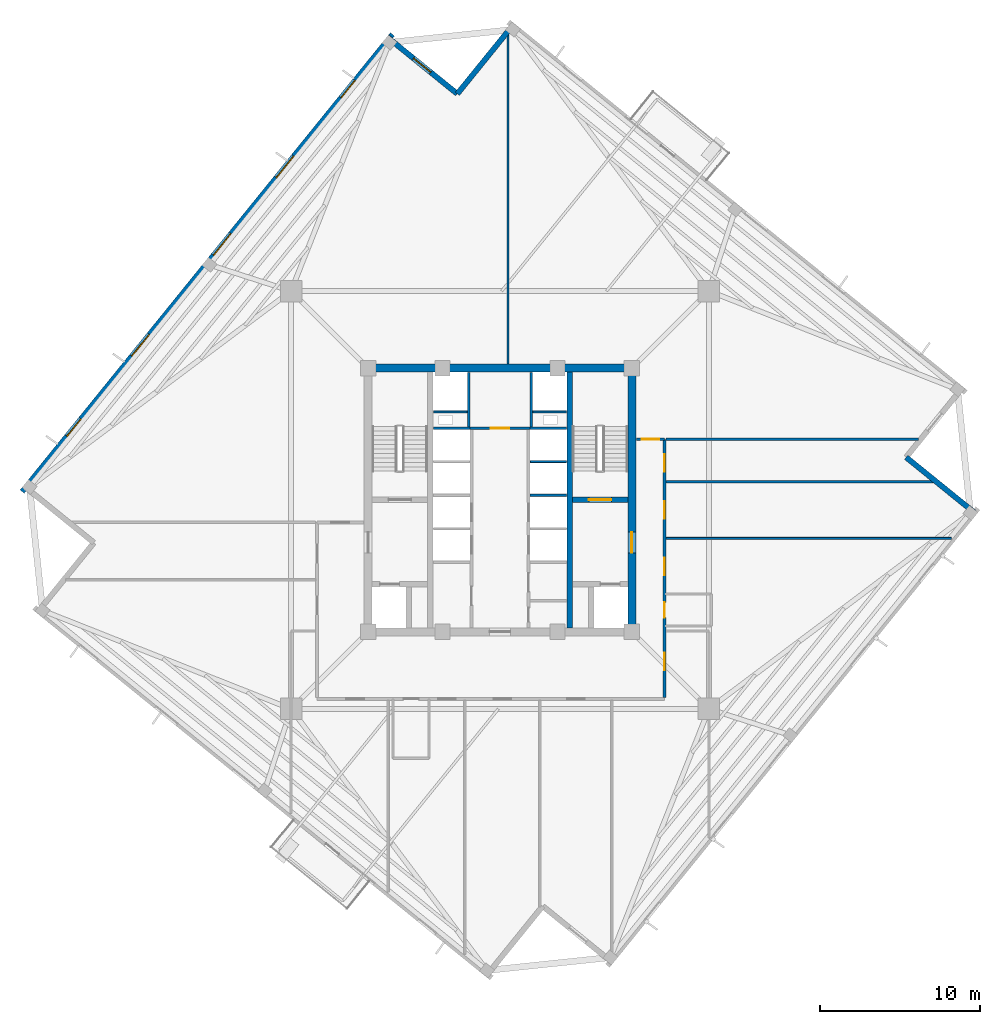
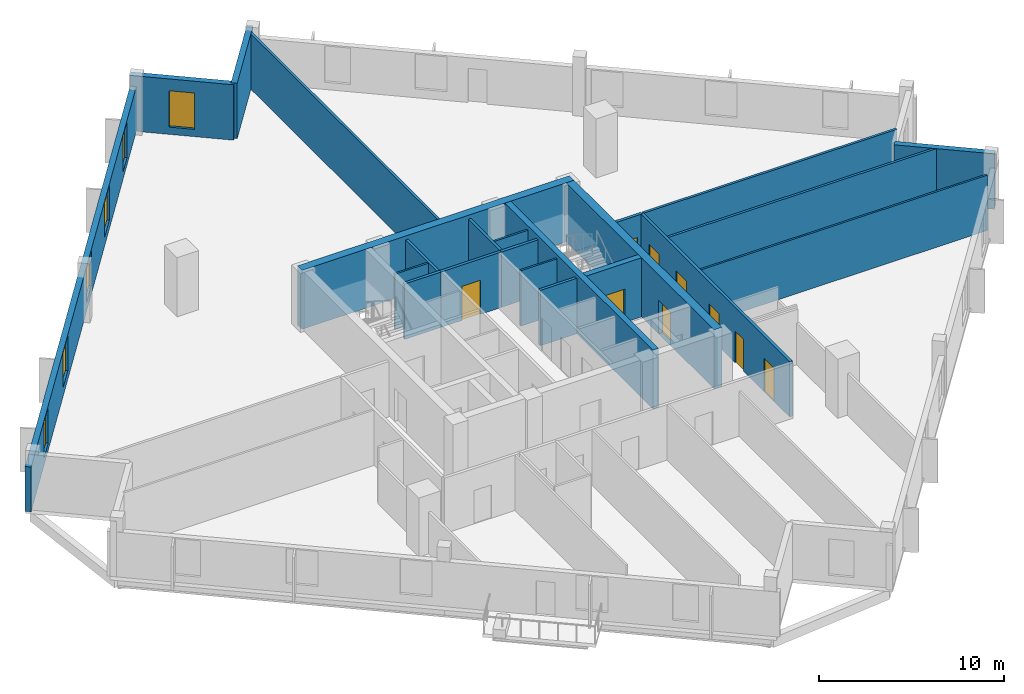
# One storey, part 5 of 10: 23 walls, 9 doors, 6 windows, 15 openings.
"""IFC4 building model written with IfcOpenShell, lengths in metres."""

from ifc_helpers import new_model, si_unit, direction, frame, frame_2d, origin, place, context, subcontext, project, spatial, rectangle, extrude, source, transform, mapped, material, layer, layer_set, type_object, element, fill, save


model = new_model("IFC4")

# Units and contexts
model_context = context("Model", 3, precision=1e-05, world=origin(), true_north=direction((0.0, 1.0)))
body_context = subcontext(model_context, "Body", "Model", "MODEL_VIEW")
ifc_project = project(units=[si_unit("LENGTHUNIT", "METRE"), si_unit("AREAUNIT", "SQUARE_METRE"), si_unit("VOLUMEUNIT", "CUBIC_METRE"), si_unit("PLANEANGLEUNIT", "RADIAN"), si_unit("MASSUNIT", "GRAM", prefix="KILO"), si_unit("THERMODYNAMICTEMPERATUREUNIT", "KELVIN")], contexts=[model_context])

# Site, building, storey
site_placement = place(None, origin())
site = spatial("IfcSite", under=ifc_project, at=site_placement, CompositionType="ELEMENT")
building_placement = place(site_placement, origin())
building = spatial("IfcBuilding", under=site, at=building_placement, Name="Kosmvard Interchange Tower", CompositionType="ELEMENT")
storey_placement = place(building_placement, frame((0.0, 0.0, 205.60009765625)))
storey = spatial("IfcBuildingStorey", under=building, at=storey_placement, Name="L49", CompositionType="ELEMENT", Elevation=205.60009765625)

# Walls
ifc_material_1 = material(Name="Acoustic gypsum partition system")
ifc_layer_1 = layer(ifc_material_1, 0.14990234375, Name="Acoustic gypsum partition system")
ifc_layer_set_1 = layer_set([ifc_layer_1], Name="Acoustic gypsum partition system")
wall_type_1 = type_object("IfcWallType", Name="Acoustic Suite & Meeting Partition 150", PredefinedType="PARTITIONING", material=ifc_layer_set_1)
wall_1_placement = place(storey_placement, frame((0.5, 8.5048828125, 0.0), z_axis=(0.0, 0.0, 1.0), x_axis=(0.0, 1.0, 0.0)))
element("IfcWall", 1, at=wall_1_placement, inside=storey, type_object=wall_type_1, Name="L49 Room Partition 01.1", PredefinedType="PARTITIONING", context=body_context, shape_type="SweptSolid", body=[
    extrude(rectangle(XDim=20.675048828125, YDim=0.14990234375, at=frame_2d((10.33740234375, 0.0))), origin(), (0.0, 0.0, 1.0), 3.659912109375),
])
wall_2_placement = place(storey_placement, frame((10.39501953125, 1.14990234375, 0.0), z_axis=(0.0, 0.0, 1.0), x_axis=(1.0, 0.0, 0.0)))
element("IfcWall", 2, at=wall_2_placement, inside=storey, type_object=wall_type_1, Name="L49 Room Partition 03.1", PredefinedType="PARTITIONING", context=body_context, shape_type="SweptSolid", body=[
    extrude(rectangle(XDim=16.747314453125, YDim=0.14990234375, at=frame_2d((8.37353515625, 0.0))), origin(), (0.0, 0.0, 1.0), 3.659912109375),
])
wall_3_placement = place(storey_placement, frame((10.39501953125, 3.800048828125, 0.0), z_axis=(0.0, 0.0, 1.0), x_axis=(1.0, 0.0, 0.0)))
element("IfcWall", 3, at=wall_3_placement, inside=storey, type_object=wall_type_1, Name="L49 Room Partition 04.1", PredefinedType="PARTITIONING", context=body_context, shape_type="SweptSolid", body=[
    extrude(rectangle(XDim=15.811767578125, YDim=0.14990234375, at=frame_2d((7.90576171875, 0.0))), origin(), (0.0, 0.0, 1.0), 3.659912109375),
])
ifc_material_2 = material(Name="Fire-rated gypsum partition system")
ifc_layer_2 = layer(ifc_material_2, 0.159912109375, Name="Fire-rated gypsum partition system")
ifc_layer_set_2 = layer_set([ifc_layer_2], Name="Fire-rated gypsum partition system")
wall_type_2 = type_object("IfcWallType", Name="Core Compartment & Shuttle Lobby Partition 160", PredefinedType="PARTITIONING", material=ifc_layer_set_2)
for number, where, z_axis, x_axis, name in (
    (4, (-1.9599609375, 4.580078125, 0.0), (0.0, 0.0, 1.0), (0.0, 1.0, 0.0), "L49 North Core West Wall"),
    (5, (1.9599609375, 4.580078125, 0.0), (0.0, 0.0, 1.0), (0.0, 1.0, 0.0), "L49 North Core East Wall"),
):
    element("IfcWall", number, at=place(storey_placement, frame(where, z_axis=z_axis, x_axis=x_axis)), inside=storey, type_object=wall_type_2, Name=name, PredefinedType="PARTITIONING", context=body_context, shape_type="SweptSolid", body=[
        extrude(rectangle(XDim=3.39990234375, YDim=0.159912109375, at=frame_2d((1.699951171875, 0.0))), origin(), (0.0, 0.0, 1.0), 3.659912109375),
    ])

# Wall, opening, door
ifc_layer_3 = layer(ifc_material_2, 0.179931640625, Name="Fire-rated gypsum partition system")
ifc_layer_set_3 = layer_set([ifc_layer_3], Name="Fire-rated gypsum partition system")
wall_type_3 = type_object("IfcWallType", Name="Corridor & Hotel Compartment Partition 180", PredefinedType="PARTITIONING", material=ifc_layer_set_3)
wall_4_placement = place(storey_placement, frame((-1.8798828125, 4.489990234375, 0.0), z_axis=(0.0, 0.0, 1.0), x_axis=(1.0, 0.0, 0.0)))
wall_4 = element("IfcWall", 6, at=wall_4_placement, inside=storey, type_object=wall_type_3, Name="L49 Lift Lobby North Partition", PredefinedType="PARTITIONING", context=body_context, shape_type="SweptSolid", body=[
    extrude(rectangle(XDim=3.759765625, YDim=0.179931640625, at=frame_2d((1.8798828125, 0.0))), origin(), (0.0, 0.0, 1.0), 3.659912109375),
])
opening_1_placement = place(wall_4_placement, frame((1.304931640625, 0.0, 0.0)))
opening_1 = element("IfcOpeningElement", 7, at=opening_1_placement, cuts=wall_4, Name="Opening L49-KD1", PredefinedType="OPENING", context=body_context, shape_type="SweptSolid", body=[
    extrude(rectangle(XDim=1.14990234375, YDim=2.25, at=frame_2d((0.574951171875, 1.125))), frame((0.0, 0.10009765625, 0.0), z_axis=(0.0, -1.0, 0.0), x_axis=(1.0, 0.0, 0.0)), (0.0, 0.0, 1.0), 0.199951171875),
])
ifc_material_3 = material(Name="Painted fire-rated steel leaf", Category="steel")
door_type_1 = type_object("IfcDoorType", Name="Plant & Riser Fire Door 1150x2250 EI60", OperationType="NOTDEFINED", PredefinedType="DOOR", material=ifc_material_3)
shared_shape_1 = source(origin(), body_context, "Body", "SweptSolid", [
    extrude(rectangle(XDim=1.14990234375, YDim=2.25, at=frame_2d((0.574951171875, 1.125))), frame((0.0, 0.02490234375, 0.0), z_axis=(0.0, -1.0, 0.0), x_axis=(1.0, 0.0, 0.0)), (0.0, 0.0, 1.0), 0.050048828125),
])
door_1_placement = place(opening_1_placement, origin())
door_1 = element("IfcDoor", 8, at=door_1_placement, inside=storey, type_object=door_type_1, Name="L49 Core IT Room Door", OperationType="SINGLE_SWING_LEFT", OverallHeight=2.25, OverallWidth=1.14990234375, PredefinedType="DOOR", context=body_context, shape_type="MappedRepresentation", body=[
    mapped(shared_shape_1, transform((0.0, 0.0, 0.0), scale=1.0)),
])
fill(opening_1, door_1)

# Wall, openings, doors
wall_5_placement = place(storey_placement, frame((10.300048828125, -12.35009765625, 0.0), z_axis=(0.0, 0.0, 1.0), x_axis=(0.0, 1.0, 0.0)))
wall_5 = element("IfcWall", 9, at=wall_5_placement, inside=storey, type_object=wall_type_3, Name="L49 Corridor Wall CE", PredefinedType="PARTITIONING", context=body_context, shape_type="SweptSolid", body=[
    extrude(rectangle(XDim=16.150146484375, YDim=0.179931640625, at=frame_2d((8.0751953125, 0.0))), origin(), (0.0, 0.0, 1.0), 3.659912109375),
])
opening_2_placement = place(wall_5_placement, frame((4.986083984375, 0.0, 0.0)))
opening_2 = element("IfcOpeningElement", 10, at=opening_2_placement, cuts=wall_5, Name="Opening L49-D01", PredefinedType="OPENING", context=body_context, shape_type="SweptSolid", body=[
    extrude(rectangle(XDim=0.949951171875, YDim=2.10009765625, at=frame_2d((0.47509765625, 1.050048828125))), frame((0.0, 0.10009765625, 0.0), z_axis=(0.0, -1.0, 0.0), x_axis=(1.0, 0.0, 0.0)), (0.0, 0.0, 1.0), 0.199951171875),
])
opening_3_placement = place(wall_5_placement, frame((14.110595703125, 0.0, 0.0)))
opening_3 = element("IfcOpeningElement", 11, at=opening_3_placement, cuts=wall_5, Name="Opening L49-D05", PredefinedType="OPENING", context=body_context, shape_type="SweptSolid", body=[
    extrude(rectangle(XDim=1.10009765625, YDim=2.199951171875, at=frame_2d((0.550048828125, 1.10009765625))), frame((0.0, 0.10009765625, 0.0), z_axis=(0.0, -1.0, 0.0), x_axis=(1.0, 0.0, 0.0)), (0.0, 0.0, 1.0), 0.199951171875),
])
opening_4_placement = place(wall_5_placement, frame((1.689453125, 0.0, 0.0)))
opening_4 = element("IfcOpeningElement", 12, at=opening_4_placement, cuts=wall_5, Name="Opening L49-D12", PredefinedType="OPENING", context=body_context, shape_type="SweptSolid", body=[
    extrude(rectangle(XDim=1.10009765625, YDim=2.199951171875, at=frame_2d((0.550048828125, 1.10009765625))), frame((0.0, 0.10009765625, 0.0), z_axis=(0.0, -1.0, 0.0), x_axis=(1.0, 0.0, 0.0)), (0.0, 0.0, 1.0), 0.199951171875),
])
opening_5_placement = place(wall_5_placement, frame((7.649658203125, 0.0, 0.0)))
opening_5 = element("IfcOpeningElement", 13, at=opening_5_placement, cuts=wall_5, Name="Opening L49-D13", PredefinedType="OPENING", context=body_context, shape_type="SweptSolid", body=[
    extrude(rectangle(XDim=1.10009765625, YDim=2.199951171875, at=frame_2d((0.550048828125, 1.10009765625))), frame((0.0, 0.10009765625, 0.0), z_axis=(0.0, -1.0, 0.0), x_axis=(1.0, 0.0, 0.0)), (0.0, 0.0, 1.0), 0.199951171875),
])
opening_6_placement = place(wall_5_placement, frame((11.175048828125, 0.0, 0.0)))
opening_6 = element("IfcOpeningElement", 14, at=opening_6_placement, cuts=wall_5, Name="Opening L49-D14", PredefinedType="OPENING", context=body_context, shape_type="SweptSolid", body=[
    extrude(rectangle(XDim=1.10009765625, YDim=2.199951171875, at=frame_2d((0.550048828125, 1.10009765625))), frame((0.0, 0.10009765625, 0.0), z_axis=(0.0, -1.0, 0.0), x_axis=(1.0, 0.0, 0.0)), (0.0, 0.0, 1.0), 0.199951171875),
])
ifc_material_4 = material(Name="Laminated moisture-resistant timber", Category="wood")
door_type_2 = type_object("IfcDoorType", Name="Accessible Washroom Door 950x2100", OperationType="NOTDEFINED", PredefinedType="DOOR", material=ifc_material_4)
shared_shape_2 = source(origin(), body_context, "Body", "SweptSolid", [
    extrude(rectangle(XDim=0.949951171875, YDim=2.10009765625, at=frame_2d((0.47509765625, 1.050048828125))), frame((0.0, 0.02490234375, 0.0), z_axis=(0.0, -1.0, 0.0), x_axis=(1.0, 0.0, 0.0)), (0.0, 0.0, 1.0), 0.050048828125),
])
door_2_placement = place(opening_2_placement, frame((0.949951171875, 0.0, 0.0), z_axis=(0.0, 0.0, 1.0), x_axis=(-1.0, 0.0, 0.0)))
door_2 = element("IfcDoor", 15, at=door_2_placement, inside=storey, type_object=door_type_2, Name="L49 Accessible Toilet Door", OperationType="SINGLE_SWING_LEFT", OverallHeight=2.10009765625, OverallWidth=0.949951171875, PredefinedType="DOOR", context=body_context, shape_type="MappedRepresentation", body=[
    mapped(shared_shape_2, transform((0.0, 0.0, 0.0), scale=1.0)),
])
fill(opening_2, door_2)
ifc_material_5 = material(Name="Engineered oak fire-rated timber", Category="wood")
door_type_3 = type_object("IfcDoorType", Name="Office Suite Entrance Door 1100x2200 FD30S", OperationType="NOTDEFINED", PredefinedType="DOOR", material=ifc_material_5)
shared_shape_3 = source(origin(), body_context, "Body", "SweptSolid", [
    extrude(rectangle(XDim=1.10009765625, YDim=2.199951171875, at=frame_2d((0.550048828125, 1.10009765625))), frame((0.0, 0.02490234375, 0.0), z_axis=(0.0, -1.0, 0.0), x_axis=(1.0, 0.0, 0.0)), (0.0, 0.0, 1.0), 0.050048828125),
])
door_3_placement = place(opening_3_placement, frame((1.10009765625, 0.0, 0.0), z_axis=(0.0, 0.0, 1.0), x_axis=(-1.0, 0.0, 0.0)))
door_3 = element("IfcDoor", 16, at=door_3_placement, inside=storey, type_object=door_type_3, Name="L49 Chancery Briefing Room 1 Door", OperationType="SINGLE_SWING_LEFT", OverallHeight=2.199951171875, OverallWidth=1.10009765625, PredefinedType="DOOR", context=body_context, shape_type="MappedRepresentation", body=[
    mapped(shared_shape_3, transform((0.0, 0.0, 0.0), scale=1.0)),
])
fill(opening_3, door_3)
door_4_placement = place(opening_4_placement, frame((1.10009765625, 0.0, 0.0), z_axis=(0.0, 0.0, 1.0), x_axis=(-1.0, 0.0, 0.0)))
door_4 = element("IfcDoor", 17, at=door_4_placement, inside=storey, type_object=door_type_3, Name="L49 Partner Office 1 Door", OperationType="SINGLE_SWING_RIGHT", OverallHeight=2.199951171875, OverallWidth=1.10009765625, PredefinedType="DOOR", context=body_context, shape_type="MappedRepresentation", body=[
    mapped(shared_shape_3, transform((0.0, 0.0, 0.0), scale=1.0)),
])
fill(opening_4, door_4)
door_5_placement = place(opening_5_placement, frame((1.10009765625, 0.0, 0.0), z_axis=(0.0, 0.0, 1.0), x_axis=(-1.0, 0.0, 0.0)))
door_5 = element("IfcDoor", 18, at=door_5_placement, inside=storey, type_object=door_type_3, Name="L49 Senior Counsel Office 2 Door", OperationType="SINGLE_SWING_LEFT", OverallHeight=2.199951171875, OverallWidth=1.10009765625, PredefinedType="DOOR", context=body_context, shape_type="MappedRepresentation", body=[
    mapped(shared_shape_3, transform((0.0, 0.0, 0.0), scale=1.0)),
])
fill(opening_5, door_5)
door_6_placement = place(opening_6_placement, frame((1.10009765625, 0.0, 0.0), z_axis=(0.0, 0.0, 1.0), x_axis=(-1.0, 0.0, 0.0)))
door_6 = element("IfcDoor", 19, at=door_6_placement, inside=storey, type_object=door_type_3, Name="L49 Managing Partner Office 3 Door", OperationType="SINGLE_SWING_RIGHT", OverallHeight=2.199951171875, OverallWidth=1.10009765625, PredefinedType="DOOR", context=body_context, shape_type="MappedRepresentation", body=[
    mapped(shared_shape_3, transform((0.0, 0.0, 0.0), scale=1.0)),
])
fill(opening_6, door_6)

# Wall, opening, door
wall_6_placement = place(storey_placement, frame((8.550048828125, 3.800048828125, 0.0), z_axis=(0.0, 0.0, 1.0), x_axis=(1.0, 0.0, 0.0)))
wall_6 = element("IfcWall", 20, at=wall_6_placement, inside=storey, type_object=wall_type_3, Name="L49 Corridor Wall CNE", PredefinedType="PARTITIONING", context=body_context, shape_type="SweptSolid", body=[
    extrude(rectangle(XDim=1.75, YDim=0.179931640625, at=frame_2d((0.875, 0.0))), origin(), (0.0, 0.0, 1.0), 3.659912109375),
])
opening_7_placement = place(wall_6_placement, frame((0.324951171875, 0.0, 0.0)))
opening_7 = element("IfcOpeningElement", 21, at=opening_7_placement, cuts=wall_6, Name="Opening L49-D04", PredefinedType="OPENING", context=body_context, shape_type="SweptSolid", body=[
    extrude(rectangle(XDim=1.10009765625, YDim=2.199951171875, at=frame_2d((0.550048828125, 1.10009765625))), frame((0.0, 0.10009765625, 0.0), z_axis=(0.0, -1.0, 0.0), x_axis=(1.0, 0.0, 0.0)), (0.0, 0.0, 1.0), 0.199951171875),
])
door_7_placement = place(opening_7_placement, origin())
door_7 = element("IfcDoor", 22, at=door_7_placement, inside=storey, type_object=door_type_3, Name="L49 North-East Diplomatic Chancery Door", OperationType="SINGLE_SWING_RIGHT", OverallHeight=2.199951171875, OverallWidth=1.10009765625, PredefinedType="DOOR", context=body_context, shape_type="MappedRepresentation", body=[
    mapped(shared_shape_3, transform((0.0, 0.0, 0.0), scale=1.0)),
])
fill(opening_7, door_7)

# Walls
ifc_material_6 = material(Name="Precast concrete C45/55", Category="concrete")
ifc_layer_4 = layer(ifc_material_6, 0.340087890625, Name="Precast concrete C45/55")
ifc_layer_set_4 = layer_set([ifc_layer_4], Name="Precast concrete C45/55")
wall_type_4 = type_object("IfcWallType", Name="Mid Tower Precast Pier Wall 340 C45/55", PredefinedType="STANDARD", material=ifc_layer_set_4)
for number, where, z_axis, x_axis, name in (
    (23, (29.703125, -0.78857421875, 0.0), (0.0, 0.0, 1.0), (-0.77714355312, 0.629323365087, 0.0), "L49 Precast Facade Wall N-SE1"),
    (24, (0.78857421875, 29.703125, 0.0), (0.0, 0.0, 1.0), (-0.629323365087, -0.77714355312, 0.0), "L49 Precast Facade Wall N-NE1"),
):
    element("IfcWall", number, at=place(storey_placement, frame(where, z_axis=z_axis, x_axis=x_axis)), inside=storey, type_object=wall_type_4, Name=name, PredefinedType="STANDARD", context=body_context, shape_type="SweptSolid", body=[
        extrude(rectangle(XDim=5.499755859375, YDim=0.340087890625, at=frame_2d((2.75, 0.0))), origin(), (0.0, 0.0, 1.0), 3.659912109375),
    ])

# Wall, opening, window
wall_7_placement = place(storey_placement, frame((-2.672607421875, 25.428955078125, 0.0), z_axis=(0.0, 0.0, 1.0), x_axis=(-0.777162640055, 0.629299794138, 0.0)))
wall_7 = element("IfcWall", 25, at=wall_7_placement, inside=storey, type_object=wall_type_4, Name="L49 Precast Facade Wall N-NE2", PredefinedType="STANDARD", context=body_context, shape_type="SweptSolid", body=[
    extrude(rectangle(XDim=5.669921875, YDim=0.340087890625, at=frame_2d((2.8349609375, 0.0))), origin(), (0.0, 0.0, 1.0), 3.659912109375),
])
opening_8_placement = place(wall_7_placement, frame((2.135009765625, 0.0, 0.47998046875)))
opening_8 = element("IfcOpeningElement", 26, at=opening_8_placement, cuts=wall_7, Name="Opening L49-W22", PredefinedType="OPENING", context=body_context, shape_type="SweptSolid", body=[
    extrude(rectangle(XDim=1.39990234375, YDim=2.39990234375, at=frame_2d((0.699951171875, 1.199951171875))), frame((0.0, 0.18017578125, 0.0), z_axis=(0.0, -1.0, 0.0), x_axis=(1.0, 0.0, 0.0)), (0.0, 0.0, 1.0), 0.360107421875),
])
ifc_material_7 = material(Name="Low-E solar-control double glazing", Category="glass")
window_type_1 = type_object("IfcWindowType", Name="Notched Corner Feature Window 1400x2400", PartitioningType="SINGLE_PANEL", PredefinedType="WINDOW", material=ifc_material_7)
shared_shape_4 = source(origin(), body_context, "Body", "SweptSolid", [
    extrude(rectangle(XDim=1.39990234375, YDim=2.39990234375, at=frame_2d((0.699951171875, 1.199951171875))), frame((0.0, 0.030029296875, 0.0), z_axis=(0.0, -1.0, 0.0), x_axis=(1.0, 0.0, 0.0)), (0.0, 0.0, 1.0), 0.06005859375),
])
window_1_placement = place(opening_8_placement, origin())
window_1 = element("IfcWindow", 27, at=window_1_placement, inside=storey, type_object=window_type_1, Name="L49 Corner Notch Window 22", OverallHeight=2.39990234375, OverallWidth=1.39990234375, PartitioningType="SINGLE_PANEL", PredefinedType="WINDOW", context=body_context, shape_type="MappedRepresentation", body=[
    mapped(shared_shape_4, transform((0.0, 0.0, 0.0), scale=1.0)),
])
fill(opening_8, window_1)

# Wall, openings, windows
wall_8_placement = place(storey_placement, frame((-6.73291015625, 29.154296875, 0.0), z_axis=(0.0, 0.0, 1.0), x_axis=(-0.629325378072, -0.77714192302, 0.0)))
wall_8 = element("IfcWall", 28, at=wall_8_placement, inside=storey, type_object=wall_type_4, Name="L49 Precast Facade Wall F-N", PredefinedType="STANDARD", context=body_context, shape_type="SweptSolid", body=[
    extrude(rectangle(XDim=36.840087890625, YDim=0.340087890625, at=frame_2d((18.419921875, 0.0))), origin(), (0.0, 0.0, 1.0), 2.9599609375),
])
opening_9_placement = place(wall_8_placement, frame((3.720703125, 0.0, 0.47998046875)))
opening_9 = element("IfcOpeningElement", 29, at=opening_9_placement, cuts=wall_8, Name="Opening L49-W11", PredefinedType="OPENING", context=body_context, shape_type="SweptSolid", body=[
    extrude(rectangle(XDim=1.39990234375, YDim=2.39990234375, at=frame_2d((0.699951171875, 1.199951171875))), frame((0.0, 0.18017578125, 0.0), z_axis=(0.0, -1.0, 0.0), x_axis=(1.0, 0.0, 0.0)), (0.0, 0.0, 1.0), 0.360107421875),
])
opening_10_placement = place(wall_8_placement, frame((9.80859375, 0.0, 0.580078125)))
opening_10 = element("IfcOpeningElement", 30, at=opening_10_placement, cuts=wall_8, Name="Opening L49-W12", PredefinedType="OPENING", context=body_context, shape_type="SweptSolid", body=[
    extrude(rectangle(XDim=1.75, YDim=2.300048828125, at=frame_2d((0.875, 1.14990234375))), frame((0.0, 0.18017578125, 0.0), z_axis=(0.0, -1.0, 0.0), x_axis=(1.0, 0.0, 0.0)), (0.0, 0.0, 1.0), 0.360107421875),
])
opening_11_placement = place(wall_8_placement, frame((16.05810546875, 0.0, 0.580078125)))
opening_11 = element("IfcOpeningElement", 31, at=opening_11_placement, cuts=wall_8, Name="Opening L49-W13", PredefinedType="OPENING", context=body_context, shape_type="SweptSolid", body=[
    extrude(rectangle(XDim=1.75, YDim=2.300048828125, at=frame_2d((0.875, 1.14990234375))), frame((0.0, 0.18017578125, 0.0), z_axis=(0.0, -1.0, 0.0), x_axis=(1.0, 0.0, 0.0)), (0.0, 0.0, 1.0), 0.360107421875),
])
opening_12_placement = place(wall_8_placement, frame((24.17626953125, 0.0, 0.580078125)))
opening_12 = element("IfcOpeningElement", 32, at=opening_12_placement, cuts=wall_8, Name="Opening L49-W14", PredefinedType="OPENING", context=body_context, shape_type="SweptSolid", body=[
    extrude(rectangle(XDim=1.75, YDim=2.300048828125, at=frame_2d((0.875, 1.14990234375))), frame((0.0, 0.18017578125, 0.0), z_axis=(0.0, -1.0, 0.0), x_axis=(1.0, 0.0, 0.0)), (0.0, 0.0, 1.0), 0.360107421875),
])
opening_13_placement = place(wall_8_placement, frame((30.982421875, 0.0, 0.47998046875)))
opening_13 = element("IfcOpeningElement", 33, at=opening_13_placement, cuts=wall_8, Name="Opening L49-W15", PredefinedType="OPENING", context=body_context, shape_type="SweptSolid", body=[
    extrude(rectangle(XDim=1.39990234375, YDim=2.39990234375, at=frame_2d((0.699951171875, 1.199951171875))), frame((0.0, 0.18017578125, 0.0), z_axis=(0.0, -1.0, 0.0), x_axis=(1.0, 0.0, 0.0)), (0.0, 0.0, 1.0), 0.360107421875),
])
window_2_placement = place(opening_9_placement, origin())
window_2 = element("IfcWindow", 34, at=window_2_placement, inside=storey, type_object=window_type_1, Name="L49 Facade Punched Window 11", OverallHeight=2.39990234375, OverallWidth=1.39990234375, PartitioningType="SINGLE_PANEL", PredefinedType="WINDOW", context=body_context, shape_type="MappedRepresentation", body=[
    mapped(shared_shape_4, transform((0.0, 0.0, 0.0), scale=1.0)),
])
fill(opening_9, window_2)
window_3_placement = place(opening_13_placement, origin())
window_3 = element("IfcWindow", 35, at=window_3_placement, inside=storey, type_object=window_type_1, Name="L49 Facade Punched Window 15", OverallHeight=2.39990234375, OverallWidth=1.39990234375, PartitioningType="SINGLE_PANEL", PredefinedType="WINDOW", context=body_context, shape_type="MappedRepresentation", body=[
    mapped(shared_shape_4, transform((0.0, 0.0, 0.0), scale=1.0)),
])
fill(opening_13, window_3)
window_type_2 = type_object("IfcWindowType", Name="Zone 4 Suite Punched Window 1750x2300", PartitioningType="SINGLE_PANEL", PredefinedType="WINDOW", material=ifc_material_7)
shared_shape_5 = source(origin(), body_context, "Body", "SweptSolid", [
    extrude(rectangle(XDim=1.75, YDim=2.300048828125, at=frame_2d((0.875, 1.14990234375))), frame((0.0, 0.030029296875, 0.0), z_axis=(0.0, -1.0, 0.0), x_axis=(1.0, 0.0, 0.0)), (0.0, 0.0, 1.0), 0.06005859375),
])
window_4_placement = place(opening_10_placement, origin())
window_4 = element("IfcWindow", 36, at=window_4_placement, inside=storey, type_object=window_type_2, Name="L49 Facade Punched Window 12", OverallHeight=2.300048828125, OverallWidth=1.75, PartitioningType="SINGLE_PANEL", PredefinedType="WINDOW", context=body_context, shape_type="MappedRepresentation", body=[
    mapped(shared_shape_5, transform((0.0, 0.0, 0.0), scale=1.0)),
])
fill(opening_10, window_4)
window_5_placement = place(opening_11_placement, origin())
window_5 = element("IfcWindow", 37, at=window_5_placement, inside=storey, type_object=window_type_2, Name="L49 Facade Punched Window 13", OverallHeight=2.300048828125, OverallWidth=1.75, PartitioningType="SINGLE_PANEL", PredefinedType="WINDOW", context=body_context, shape_type="MappedRepresentation", body=[
    mapped(shared_shape_5, transform((0.0, 0.0, 0.0), scale=1.0)),
])
fill(opening_11, window_5)
window_6_placement = place(opening_12_placement, origin())
window_6 = element("IfcWindow", 38, at=window_6_placement, inside=storey, type_object=window_type_2, Name="L49 Facade Punched Window 14", OverallHeight=2.300048828125, OverallWidth=1.75, PartitioningType="SINGLE_PANEL", PredefinedType="WINDOW", context=body_context, shape_type="MappedRepresentation", body=[
    mapped(shared_shape_5, transform((0.0, 0.0, 0.0), scale=1.0)),
])
fill(opening_12, window_6)

# Walls
ifc_material_8 = material(Name="Gypsum board partition system")
ifc_layer_5 = layer(ifc_material_8, 0.1201171875, Name="Gypsum board partition system")
ifc_layer_set_5 = layer_set([ifc_layer_5], Name="Gypsum board partition system")
wall_type_5 = type_object("IfcWallType", Name="Office Cellular Partition 120", PredefinedType="PARTITIONING", material=ifc_layer_set_5)
wall_9_placement = place(storey_placement, frame((10.39501953125, -2.39990234375, 0.0), z_axis=(0.0, 0.0, 1.0), x_axis=(1.0, 0.0, 0.0)))
element("IfcWall", 39, at=wall_9_placement, inside=storey, type_object=wall_type_5, Name="L49 Room Partition 14.1", PredefinedType="PARTITIONING", context=body_context, shape_type="SweptSolid", body=[
    extrude(rectangle(XDim=17.8681640625, YDim=0.1201171875, at=frame_2d((8.93408203125, 0.0))), origin(), (0.0, 0.0, 1.0), 3.659912109375),
])
ifc_material_9 = material(Name="Concrete blockwork masonry", Category="masonry")
ifc_layer_6 = layer(ifc_material_9, 0.179931640625, Name="Concrete blockwork masonry")
ifc_layer_set_6 = layer_set([ifc_layer_6], Name="Concrete blockwork masonry")
wall_type_6 = type_object("IfcWallType", Name="Riser & Lift Bank Divider Wall 180", PredefinedType="PARTITIONING", material=ifc_layer_set_6)
for number, where, z_axis, x_axis, name in (
    (40, (1.889892578125, 0.300048828125, 0.0), (0.0, 0.0, 1.0), (1.0, 0.0, 0.0), "L49 East Bank Divider BD2"),
    (41, (-4.169921875, 4.489990234375, 0.0), (0.0, 0.0, 1.0), (1.0, 0.0, 0.0), "L49 West Bank Divider BD3"),
    (42, (1.889892578125, 4.489990234375, 0.0), (0.0, 0.0, 1.0), (1.0, 0.0, 0.0), "L49 East Bank Divider BD3"),
):
    element("IfcWall", number, at=place(storey_placement, frame(where, z_axis=z_axis, x_axis=x_axis)), inside=storey, type_object=wall_type_6, Name=name, PredefinedType="PARTITIONING", context=body_context, shape_type="SweptSolid", body=[
        extrude(rectangle(XDim=2.280029296875, YDim=0.179931640625, at=frame_2d((1.14013671875, 0.0))), origin(), (0.0, 0.0, 1.0), 3.659912109375),
    ])
ifc_material_10 = material(Name="Fire-rated gypsum shaftwall system")
ifc_layer_7 = layer(ifc_material_10, 0.1201171875, Name="Fire-rated gypsum shaftwall system")
ifc_layer_set_7 = layer_set([ifc_layer_7], Name="Fire-rated gypsum shaftwall system")
wall_type_7 = type_object("IfcWallType", Name="Shaft & Riser Fire Partition 120 EI60", PredefinedType="PARTITIONING", material=ifc_layer_set_7)
wall_10_placement = place(storey_placement, frame((1.89990234375, 2.39990234375, 0.0), z_axis=(0.0, 0.0, 1.0), x_axis=(1.0, 0.0, 0.0)))
element("IfcWall", 43, at=wall_10_placement, inside=storey, type_object=wall_type_7, Name="L49 Shaft Divider PL-H3", PredefinedType="PARTITIONING", context=body_context, shape_type="SweptSolid", body=[
    extrude(rectangle(XDim=2.260009765625, YDim=0.1201171875, at=frame_2d((1.1298828125, 0.0))), origin(), (0.0, 0.0, 1.0), 3.659912109375),
])
for number, where, z_axis, x_axis, name in (
    (44, (-4.159912109375, 5.52001953125, 0.0), (0.0, 0.0, 1.0), (1.0, 0.0, 0.0), "L49 Riser Shaft Divider W"),
    (45, (2.06005859375, 5.52001953125, 0.0), (0.0, 0.0, 1.0), (1.0, 0.0, 0.0), "L49 Riser Shaft Divider E"),
):
    element("IfcWall", number, at=place(storey_placement, frame(where, z_axis=z_axis, x_axis=x_axis)), inside=storey, type_object=wall_type_7, Name=name, PredefinedType="PARTITIONING", context=body_context, shape_type="SweptSolid", body=[
        extrude(rectangle(XDim=2.099853515625, YDim=0.1201171875, at=frame_2d((1.0498046875, 0.0))), origin(), (0.0, 0.0, 1.0), 3.659912109375),
    ])
ifc_material_11 = material(Name="Concrete C60/75", Category="concrete")
ifc_layer_8 = layer(ifc_material_11, 0.360107421875, Name="Concrete C60/75")
ifc_layer_set_8 = layer_set([ifc_layer_8], Name="Concrete C60/75")
wall_type_8 = type_object("IfcWallType", Name="Stair & Lift Shaft Shear Wall 360 C60/75", PredefinedType="SHEAR", material=ifc_layer_set_8)
wall_11_placement = place(storey_placement, frame((4.360107421875, -8.0, 0.0), z_axis=(0.0, 0.0, 1.0), x_axis=(0.0, 1.0, 0.0)))
element("IfcWall", 46, at=wall_11_placement, inside=storey, type_object=wall_type_8, Name="L49 Shaft Shear Wall SW-E", PredefinedType="SHEAR", context=body_context, shape_type="SweptSolid", body=[
    extrude(rectangle(XDim=16.0, YDim=0.360107421875, at=frame_2d((8.0, 0.0))), origin(), (0.0, 0.0, 1.0), 3.89990234375),
])

# Wall, opening, door
wall_12_placement = place(storey_placement, frame((4.5400390625, 0.02001953125, 0.0), z_axis=(0.0, 0.0, 1.0), x_axis=(1.0, 0.0, 0.0)))
wall_12 = element("IfcWall", 47, at=wall_12_placement, inside=storey, type_object=wall_type_8, Name="L49 Shaft Shear Wall SW-ST2", PredefinedType="SHEAR", context=body_context, shape_type="SweptSolid", body=[
    extrude(rectangle(XDim=3.4599609375, YDim=0.360107421875, at=frame_2d((1.72998046875, 0.0))), origin(), (0.0, 0.0, 1.0), 3.89990234375),
])
opening_14_placement = place(wall_12_placement, frame((1.030029296875, 0.0, 0.0)))
opening_14 = element("IfcOpeningElement", 48, at=opening_14_placement, cuts=wall_12, Name="Opening L49-SD2", PredefinedType="OPENING", context=body_context, shape_type="SweptSolid", body=[
    extrude(rectangle(XDim=1.39990234375, YDim=2.199951171875, at=frame_2d((0.699951171875, 1.10009765625))), frame((0.0, 0.18994140625, 0.0), z_axis=(0.0, -1.0, 0.0), x_axis=(1.0, 0.0, 0.0)), (0.0, 0.0, 1.0), 0.380126953125),
])
door_type_4 = type_object("IfcDoorType", Name="Protected Stair Door 1400x2200 FD60S", OperationType="NOTDEFINED", PredefinedType="DOOR", material=ifc_material_3)
shared_shape_6 = source(origin(), body_context, "Body", "SweptSolid", [
    extrude(rectangle(XDim=1.39990234375, YDim=2.199951171875, at=frame_2d((0.699951171875, 1.10009765625))), frame((0.0, 0.02490234375, 0.0), z_axis=(0.0, -1.0, 0.0), x_axis=(1.0, 0.0, 0.0)), (0.0, 0.0, 1.0), 0.050048828125),
])
door_8_placement = place(opening_14_placement, origin())
door_8 = element("IfcDoor", 49, at=door_8_placement, inside=storey, type_object=door_type_4, Name="L49 Stair ST-2 Enclosure Door", OperationType="SINGLE_SWING_RIGHT", OverallHeight=2.199951171875, OverallWidth=1.39990234375, PredefinedType="DOOR", context=body_context, shape_type="MappedRepresentation", body=[
    mapped(shared_shape_6, transform((0.0, 0.0, 0.0), scale=1.0)),
])
fill(opening_14, door_8)

# Wall
ifc_layer_9 = layer(ifc_material_11, 0.5, Name="Concrete C60/75")
ifc_layer_set_9 = layer_set([ifc_layer_9], Name="Concrete C60/75")
wall_type_9 = type_object("IfcWallType", Name="Upper Core Shear Wall 500 C60/75", PredefinedType="SHEAR", material=ifc_layer_set_9)
wall_13_placement = place(storey_placement, frame((-8.5, 8.25, 0.0), z_axis=(0.0, 0.0, 1.0), x_axis=(1.0, 0.0, 0.0)))
element("IfcWall", 50, at=wall_13_placement, inside=storey, type_object=wall_type_9, Name="L49 Core Shear Wall CW-N", PredefinedType="SHEAR", context=body_context, shape_type="SweptSolid", body=[
    extrude(rectangle(XDim=17.0, YDim=0.5, at=frame_2d((8.5, 0.0))), origin(), (0.0, 0.0, 1.0), 3.89990234375),
])

# Wall, opening, door
wall_14_placement = place(storey_placement, frame((8.25, -8.0, 0.0), z_axis=(0.0, 0.0, 1.0), x_axis=(0.0, 1.0, 0.0)))
wall_14 = element("IfcWall", 51, at=wall_14_placement, inside=storey, type_object=wall_type_9, Name="L49 Core Shear Wall CW-E", PredefinedType="SHEAR", context=body_context, shape_type="SweptSolid", body=[
    extrude(rectangle(XDim=16.0, YDim=0.5, at=frame_2d((8.0, 0.0))), origin(), (0.0, 0.0, 1.0), 3.89990234375),
])
opening_15_placement = place(wall_14_placement, frame((4.68994140625, 0.0, 0.0)))
opening_15 = element("IfcOpeningElement", 52, at=opening_15_placement, cuts=wall_14, Name="Opening L49-FD2", PredefinedType="OPENING", context=body_context, shape_type="SweptSolid", body=[
    extrude(rectangle(XDim=1.300048828125, YDim=2.199951171875, at=frame_2d((0.64990234375, 1.10009765625))), frame((0.0, 0.260009765625, 0.0), z_axis=(0.0, -1.0, 0.0), x_axis=(1.0, 0.0, 0.0)), (0.0, 0.0, 1.0), 0.52001953125),
])
door_type_5 = type_object("IfcDoorType", Name="Firefighting Lobby Door 1300x2200 EI60", OperationType="NOTDEFINED", PredefinedType="DOOR", material=ifc_material_3)
shared_shape_7 = source(origin(), body_context, "Body", "SweptSolid", [
    extrude(rectangle(XDim=1.300048828125, YDim=2.199951171875, at=frame_2d((0.64990234375, 1.10009765625))), frame((0.0, 0.02490234375, 0.0), z_axis=(0.0, -1.0, 0.0), x_axis=(1.0, 0.0, 0.0)), (0.0, 0.0, 1.0), 0.050048828125),
])
door_9_placement = place(opening_15_placement, origin())
door_9 = element("IfcDoor", 53, at=door_9_placement, inside=storey, type_object=door_type_5, Name="L49 Firefighting Lobby East Door", OperationType="SINGLE_SWING_RIGHT", OverallHeight=2.199951171875, OverallWidth=1.300048828125, PredefinedType="DOOR", context=body_context, shape_type="MappedRepresentation", body=[
    mapped(shared_shape_7, transform((0.0, 0.0, 0.0), scale=1.0)),
])
fill(opening_15, door_9)

save(model, "model.ifc")
